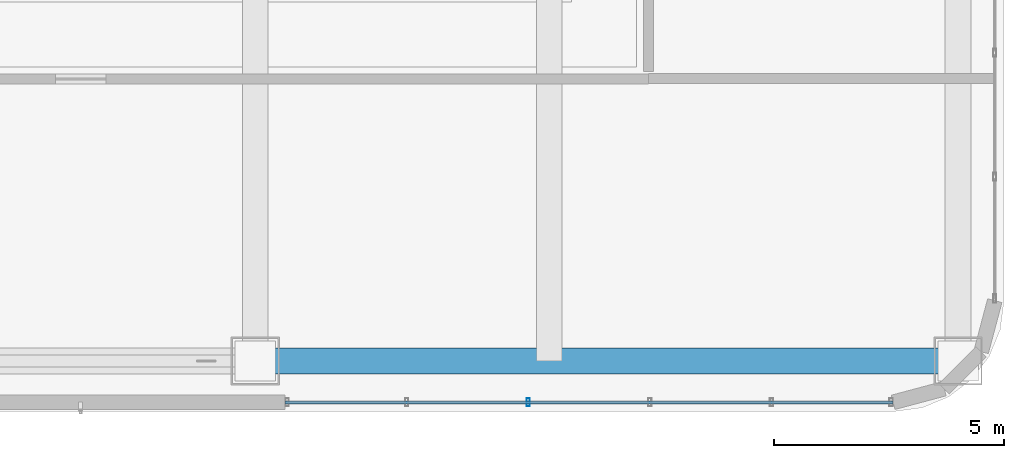
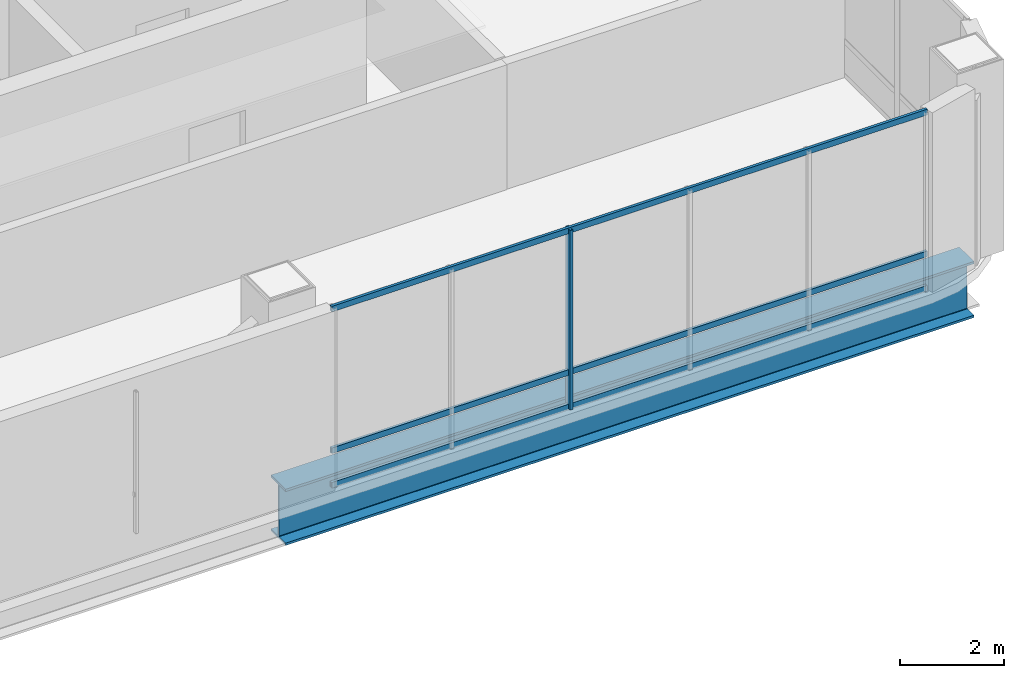
# One storey, part 7 of 33: 4 members, 1 beam, 1 element without a shape of its own.
"""IFC4 building model written with IfcOpenShell, lengths in metres."""

import ifcopenshell
import ifcopenshell.guid

model = None  # the IFC model being written
_history = None  # IfcOwnerHistory: only IFC2X3 demands one
_inside = {}  # id of a spatial element -> (the spatial element, [elements in it])
_under = {}  # id of a project, library or spatial element -> (it, [spatial elements below it])
_declared = {}  # id of a project -> (the project, [libraries it declares])
_typed = {}  # id of a type object -> (the type object, [elements of that type])
_made_of = {}  # id of a material, layer set ... -> (it, [elements and type objects made of it])


def new_model(schema):
    """Start an empty IFC model of exactly this schema.

    Asked for "IFC4X3", IfcOpenShell would pick the latest addendum, in which some entities
    have other attributes; the version numbers below select the first issue.
    IFC2X3 requires an IfcOwnerHistory on every rooted entity: one is made here for all.
    """
    global model, _history
    if schema == "IFC4X3":
        model = ifcopenshell.file(schema_version=(4, 3, 0, 0))
    else:
        model = ifcopenshell.file(schema=schema)
    _inside.clear()
    _under.clear()
    _declared.clear()
    _typed.clear()
    _made_of.clear()
    _history = None
    if model.schema == "IFC2X3":
        org = make("IfcOrganization", Name="unknown")
        user = make(
            "IfcPersonAndOrganization",
            ThePerson=make("IfcPerson", FamilyName="unknown"),
            TheOrganization=org,
        )
        app = make(
            "IfcApplication",
            ApplicationDeveloper=org,
            Version="unknown",
            ApplicationFullName="unknown",
            ApplicationIdentifier="unknown",
        )
        _history = make(
            "IfcOwnerHistory",
            OwningUser=user,
            OwningApplication=app,
            ChangeAction="ADDED",
            CreationDate=0,
        )
    return model


def make(cls, **values):
    """One entity of the class cls with the attributes given. An attribute that is None is left unset."""
    return model.create_entity(
        cls, **{name: value for name, value in values.items() if value is not None}
    )


def rooted(cls, **values):
    """An entity with a GlobalId (a new one), such as an element, a storey or a relation."""
    return make(cls, GlobalId=ifcopenshell.guid.new(), OwnerHistory=_history, **values)


def si_unit(unit_type, name, prefix=None):
    """IfcSIUnit, for example si_unit("LENGTHUNIT", "METRE", prefix="MILLI")."""
    return make("IfcSIUnit", UnitType=unit_type, Prefix=prefix, Name=name)


def assignment(units):
    """IfcUnitAssignment: the units of a project."""
    return None if units is None else make("IfcUnitAssignment", Units=units)


def point(xyz):
    """IfcCartesianPoint."""
    return None if xyz is None else make("IfcCartesianPoint", Coordinates=xyz)


def direction(xyz):
    """IfcDirection."""
    return None if xyz is None else make("IfcDirection", DirectionRatios=xyz)


def frame(location, z_axis=None, x_axis=None):
    """IfcAxis2Placement3D, a coordinate frame: its origin and axes. An axis left out is left unset."""
    return make(
        "IfcAxis2Placement3D",
        Location=point(location),
        Axis=direction(z_axis),
        RefDirection=direction(x_axis),
    )


def frame_2d(location, x_axis=None):
    """IfcAxis2Placement2D, a coordinate frame in the plane: its origin and x axis."""
    return make(
        "IfcAxis2Placement2D", Location=point(location), RefDirection=direction(x_axis)
    )


def origin():
    """The frame at (0, 0, 0) with its axes left unset."""
    return frame((0.0, 0.0, 0.0))


def origin_2d():
    """The frame at (0, 0) in the plane with its x axis left unset."""
    return frame_2d((0.0, 0.0))


def place(relative_to, where):
    """IfcLocalPlacement: puts the frame where relative to a parent placement (None: the world)."""
    return make(
        "IfcLocalPlacement", PlacementRelTo=relative_to, RelativePlacement=where
    )


def context(
    kind, dimensions, precision=None, world=None, true_north=None, identifier=None
):
    """IfcGeometricRepresentationContext, for example the 3D "Model" context."""
    return make(
        "IfcGeometricRepresentationContext",
        ContextIdentifier=identifier,
        ContextType=kind,
        CoordinateSpaceDimension=dimensions,
        Precision=precision,
        WorldCoordinateSystem=world,
        TrueNorth=true_north,
    )


def subcontext(parent, identifier, kind, view, scale=None):
    """IfcGeometricRepresentationSubContext, for example "Body" below "Model"."""
    return make(
        "IfcGeometricRepresentationSubContext",
        ContextIdentifier=identifier,
        ContextType=kind,
        ParentContext=parent,
        TargetScale=scale,
        TargetView=view,
    )


def project(units=None, contexts=None):
    """IfcProject with its units and contexts."""
    return rooted(
        "IfcProject",
        Name="project",
        RepresentationContexts=contexts,
        UnitsInContext=assignment(units),
    )


def spatial(cls, under=None, at=None, **own):
    """A site, building, storey or space (cls), placed at a placement, below another one or the project."""
    s = rooted(cls, ObjectPlacement=at, **own)
    if under is not None:
        _under.setdefault(under.id(), (under, []))[1].append(s)
    return s


def profile(cls, at=None, kind="AREA", **sizes):
    """A parametric profile (cls). Its sizes go by their IFC names, for example OverallWidth=200.0."""
    return make(cls, ProfileType=kind, Position=at, **sizes)


def hollow_rectangle(**sizes):
    """IfcRectangleHollowProfileDef."""
    return profile("IfcRectangleHollowProfileDef", **sizes)


def i_section(**sizes):
    """IfcIShapeProfileDef."""
    return profile("IfcIShapeProfileDef", **sizes)


def extrude(swept, where, along, depth):
    """IfcExtrudedAreaSolid: the profile swept, set in the frame where, extruded along a direction by depth."""
    return make(
        "IfcExtrudedAreaSolid",
        SweptArea=swept,
        Position=where,
        ExtrudedDirection=direction(along),
        Depth=depth,
    )


def shape(context_of_items, identifier, shape_type, items):
    """IfcShapeRepresentation: the items that make up one representation, for example the "Body"."""
    return make(
        "IfcShapeRepresentation",
        ContextOfItems=context_of_items,
        RepresentationIdentifier=identifier,
        RepresentationType=shape_type,
        Items=items,
    )


def material(Name=None, Category=None):
    """IfcMaterial."""
    return make("IfcMaterial", Name=Name, Category=Category)


def material_profile(
    of_material, cross_section, Name=None, Category=None, Priority=None
):
    """IfcMaterialProfile: a cross section and its material."""
    return make(
        "IfcMaterialProfile",
        Name=Name,
        Material=of_material,
        Profile=cross_section,
        Priority=Priority,
        Category=Category,
    )


def profile_set(profiles, Name=None, composite=None):
    """IfcMaterialProfileSet."""
    return make(
        "IfcMaterialProfileSet",
        Name=Name,
        MaterialProfiles=profiles,
        CompositeProfile=composite,
    )


def made_of(thing, what):
    """Note that an element or type object is made of a material, layer set ...; save() writes the relation."""
    if what is not None:
        _made_of.setdefault(what.id(), (what, []))[1].append(thing)
    return thing


def type_object(cls, material=None, **own):
    """A type object (cls), such as IfcWallType, which elements share."""
    return made_of(rooted(cls, **own), material)


def element(
    cls,
    number,
    at=None,
    inside=None,
    cuts=None,
    type_object=None,
    material=None,
    context=None,
    identifier="Body",
    shape_type=None,
    held_by="IfcProductDefinitionShape",
    body=None,
    shapes=None,
    **own,
):
    """One element of the class cls, such as IfcWall. Its Tag is "e" and its number.

    at: its placement. inside: the storey or other place that contains it. cuts: it is an
    opening in that element (IfcRelVoidsElement). A single representation is given by context,
    identifier, shape_type and body (its items); several are given by shapes. held_by: the class
    of the entity that holds the representations. save() writes the other relations.
    """
    e = rooted(cls, Tag="e%d" % number, ObjectPlacement=at, **own)
    if body is not None:
        shapes = [shape(context, identifier, shape_type, body)]
    if shapes is not None:
        e.Representation = make(held_by, Representations=shapes)
    if inside is not None:
        _inside.setdefault(inside.id(), (inside, []))[1].append(e)
    if cuts is not None:
        rooted(
            "IfcRelVoidsElement", RelatingBuildingElement=cuts, RelatedOpeningElement=e
        )
    if type_object is not None:
        _typed.setdefault(type_object.id(), (type_object, []))[1].append(e)
    return made_of(e, material)


def aggregate(whole, parts):
    """IfcRelAggregates: a whole, such as a stair, and the parts it consists of."""
    return rooted("IfcRelAggregates", RelatingObject=whole, RelatedObjects=parts)


def save(model, path):
    """Write the relations noted so far, then the file.

    IfcRelAggregates (storeys below a building ...), IfcRelContainedInSpatialStructure (elements
    in a storey), IfcRelDefinesByType, IfcRelAssociatesMaterial and IfcRelDeclares: one each for
    every whole, place, type object, material and project.
    """
    for whole, parts in _under.values():
        aggregate(whole, parts)
    for where, things in _inside.values():
        rooted(
            "IfcRelContainedInSpatialStructure",
            RelatedElements=things,
            RelatingStructure=where,
        )
    for kind, things in _typed.values():
        rooted("IfcRelDefinesByType", RelatedObjects=things, RelatingType=kind)
    for what, things in _made_of.values():
        rooted("IfcRelAssociatesMaterial", RelatedObjects=things, RelatingMaterial=what)
    for by, libraries in _declared.values():
        rooted("IfcRelDeclares", RelatingContext=by, RelatedDefinitions=libraries)
    model.write(path)


model = new_model("IFC4")

# Units and contexts
model_context = context("Model", 3, precision=1e-05, world=origin(), true_north=direction((0.0, 1.0)))
body_context = subcontext(model_context, "Body", "Model", "MODEL_VIEW")
ifc_project = project(units=[si_unit("LENGTHUNIT", "METRE"), si_unit("AREAUNIT", "SQUARE_METRE"), si_unit("VOLUMEUNIT", "CUBIC_METRE"), si_unit("PLANEANGLEUNIT", "RADIAN"), si_unit("MASSUNIT", "GRAM", prefix="KILO")], contexts=[model_context])

# Site, building, storey
site_placement = place(None, origin())
site = spatial("IfcSite", under=ifc_project, at=site_placement, CompositionType="ELEMENT")
building_placement = place(site_placement, origin())
building = spatial("IfcBuilding", under=site, at=building_placement, Name="Punatoya Terracotta Tower", CompositionType="ELEMENT")
storey_placement = place(building_placement, frame((0.0, 0.0, 348.300048828125)))
storey = spatial("IfcBuildingStorey", under=building, at=storey_placement, Name="L82", CompositionType="ELEMENT", Elevation=348.300048828125)

# Beam
ifc_material_1 = material(Name="Steel S460", Category="steel")
ifc_material_profile_1 = material_profile(ifc_material_1, i_section(OverallWidth=0.56005859375, OverallDepth=1.320068359375, WebThickness=0.035888671875, FlangeThickness=0.054931640625, FilletRadius=0.01806640625, at=origin_2d()))
ifc_profile_set_1 = profile_set([ifc_material_profile_1], Name="Steel S460")
beam_type = type_object("IfcBeamType", Name="BM-TG-BLK", PredefinedType="BEAM", material=ifc_profile_set_1)
beam_placement = place(storey_placement, frame((3.800048828125, -17.5, -0.880126953125), z_axis=(1.0, 0.0, 0.0), x_axis=(0.0, 1.0, 0.0)))
element("IfcBeam", 1, at=beam_placement, inside=storey, type_object=beam_type, Name="BM-L82-RG-S3", PredefinedType="BEAM", context=body_context, shape_type="SweptSolid", body=[
    extrude(i_section(OverallWidth=0.56005859375, OverallDepth=1.320068359375, WebThickness=0.035888671875, FlangeThickness=0.054931640625, FilletRadius=0.01806640625, at=origin_2d()), origin(), (0.0, 0.0, 1.0), 15.300048828125),
])

# Curtain wall, members
ifc_material_2 = material(Name="Aluminium 6063-T6 + Double Low-E Glass", Category="aluminium")
curtain_wall_type = type_object("IfcCurtainWallType", Name="CW-CRN", PredefinedType="NOTDEFINED", material=ifc_material_2)
curtain_wall_placement = place(storey_placement, origin())
curtain_wall = element("IfcCurtainWall", 2, at=curtain_wall_placement, inside=storey, type_object=curtain_wall_type, Name="L82 Curtain Wall CW-L82-S01-2", PredefinedType="NOTDEFINED")
ifc_material_3 = material(Name="Aluminium 6063-T6", Category="aluminium")
ifc_material_profile_2 = material_profile(ifc_material_3, hollow_rectangle(XDim=0.070068359375, YDim=0.179931640625, WallThickness=0.00390625, at=origin_2d()))
ifc_profile_set_2 = profile_set([ifc_material_profile_2], Name="Aluminium 6063-T6")
member_type_1 = type_object("IfcMemberType", Name="CW-MUL-M3", PredefinedType="MULLION", material=ifc_profile_set_2)
member_1_placement = place(storey_placement, frame((9.744873046875, -18.39990234375, 0.0), z_axis=(0.0, 0.0, 1.0), x_axis=(1.0, 0.0, 0.0)))
member_1 = element("IfcMember", 3, at=member_1_placement, type_object=member_type_1, Name="CW-L82-S01-2 Mullion 02", PredefinedType="MULLION", context=body_context, shape_type="SweptSolid", body=[
    extrude(hollow_rectangle(XDim=0.070068359375, YDim=0.179931640625, WallThickness=0.00390625, at=origin_2d()), origin(), (0.0, 0.0, 1.0), 4.219970703125),
])
ifc_material_profile_3 = material_profile(ifc_material_3, hollow_rectangle(XDim=0.06201171875, YDim=0.135009765625, WallThickness=0.00390625, at=origin_2d()))
ifc_profile_set_3 = profile_set([ifc_material_profile_3], Name="Aluminium 6063-T6")
member_type_2 = type_object("IfcMemberType", Name="CW-TRN-CRN", PredefinedType="USERDEFINED", material=ifc_profile_set_3)
member_2_placement = place(storey_placement, frame((4.449951171875, -18.39990234375, 0.0400390625), z_axis=(1.0, 0.0, 0.0), x_axis=(0.0, 1.0, 0.0)))
member_2 = element("IfcMember", 4, at=member_2_placement, type_object=member_type_2, Name="CW-L82-S01-2 Transom 1", ObjectType="TRANSOM", PredefinedType="USERDEFINED", context=body_context, shape_type="SweptSolid", body=[
    extrude(hollow_rectangle(XDim=0.06201171875, YDim=0.135009765625, WallThickness=0.00390625, at=origin_2d()), origin(), (0.0, 0.0, 1.0), 13.237060546875),
])
member_3_placement = place(storey_placement, frame((4.449951171875, -18.39990234375, 0.849853515625), z_axis=(1.0, 0.0, 0.0), x_axis=(0.0, 1.0, 0.0)))
member_3 = element("IfcMember", 5, at=member_3_placement, type_object=member_type_2, Name="CW-L82-S01-2 Transom 2", ObjectType="TRANSOM", PredefinedType="USERDEFINED", context=body_context, shape_type="SweptSolid", body=[
    extrude(hollow_rectangle(XDim=0.06201171875, YDim=0.135009765625, WallThickness=0.00390625, at=origin_2d()), origin(), (0.0, 0.0, 1.0), 13.237060546875),
])
member_4_placement = place(storey_placement, frame((4.449951171875, -18.39990234375, 4.179931640625), z_axis=(1.0, 0.0, 0.0), x_axis=(0.0, 1.0, 0.0)))
member_4 = element("IfcMember", 6, at=member_4_placement, type_object=member_type_2, Name="CW-L82-S01-2 Transom 3", ObjectType="TRANSOM", PredefinedType="USERDEFINED", context=body_context, shape_type="SweptSolid", body=[
    extrude(hollow_rectangle(XDim=0.06201171875, YDim=0.135009765625, WallThickness=0.00390625, at=origin_2d()), origin(), (0.0, 0.0, 1.0), 13.237060546875),
])
aggregate(curtain_wall, [member_1, member_2, member_3, member_4])

save(model, "model.ifc")
